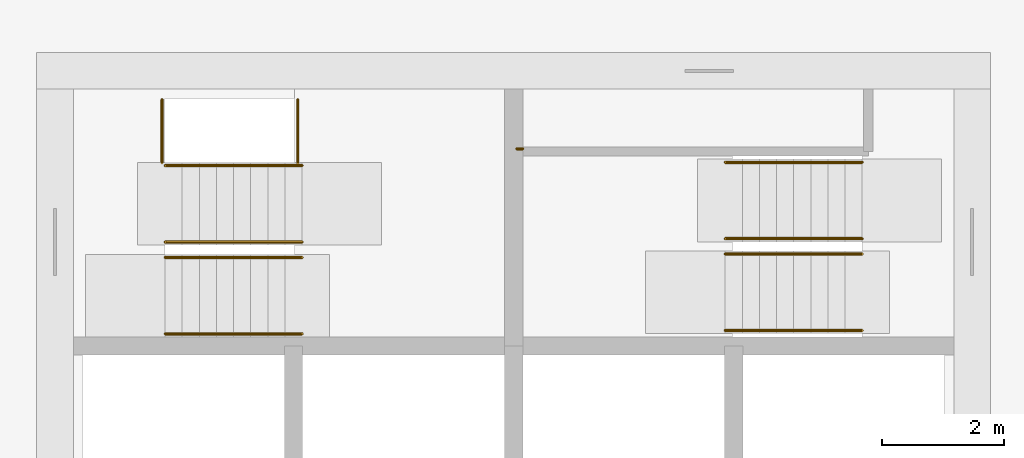
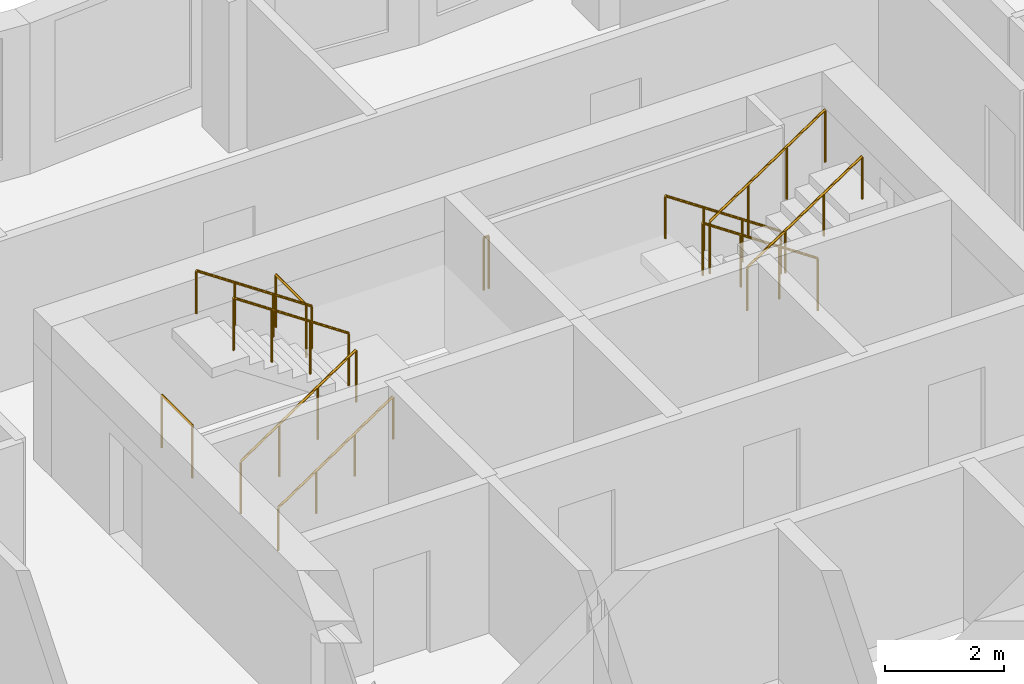
# One storey, part 11 of 12: 11 railings.
"""IFC4 building model written with IfcOpenShell, lengths in metres."""

import ifcopenshell
import ifcopenshell.guid

model = None  # the IFC model being written
_history = None  # IfcOwnerHistory: only IFC2X3 demands one
_inside = {}  # id of a spatial element -> (the spatial element, [elements in it])
_under = {}  # id of a project, library or spatial element -> (it, [spatial elements below it])
_declared = {}  # id of a project -> (the project, [libraries it declares])
_typed = {}  # id of a type object -> (the type object, [elements of that type])
_made_of = {}  # id of a material, layer set ... -> (it, [elements and type objects made of it])


def new_model(schema):
    """Start an empty IFC model of exactly this schema.

    Asked for "IFC4X3", IfcOpenShell would pick the latest addendum, in which some entities
    have other attributes; the version numbers below select the first issue.
    IFC2X3 requires an IfcOwnerHistory on every rooted entity: one is made here for all.
    """
    global model, _history
    if schema == "IFC4X3":
        model = ifcopenshell.file(schema_version=(4, 3, 0, 0))
    else:
        model = ifcopenshell.file(schema=schema)
    _inside.clear()
    _under.clear()
    _declared.clear()
    _typed.clear()
    _made_of.clear()
    _history = None
    if model.schema == "IFC2X3":
        org = make("IfcOrganization", Name="unknown")
        user = make(
            "IfcPersonAndOrganization",
            ThePerson=make("IfcPerson", FamilyName="unknown"),
            TheOrganization=org,
        )
        app = make(
            "IfcApplication",
            ApplicationDeveloper=org,
            Version="unknown",
            ApplicationFullName="unknown",
            ApplicationIdentifier="unknown",
        )
        _history = make(
            "IfcOwnerHistory",
            OwningUser=user,
            OwningApplication=app,
            ChangeAction="ADDED",
            CreationDate=0,
        )
    return model


def make(cls, **values):
    """One entity of the class cls with the attributes given. An attribute that is None is left unset."""
    return model.create_entity(
        cls, **{name: value for name, value in values.items() if value is not None}
    )


def rooted(cls, **values):
    """An entity with a GlobalId (a new one), such as an element, a storey or a relation."""
    return make(cls, GlobalId=ifcopenshell.guid.new(), OwnerHistory=_history, **values)


def si_unit(unit_type, name, prefix=None):
    """IfcSIUnit, for example si_unit("LENGTHUNIT", "METRE", prefix="MILLI")."""
    return make("IfcSIUnit", UnitType=unit_type, Prefix=prefix, Name=name)


def assignment(units):
    """IfcUnitAssignment: the units of a project."""
    return None if units is None else make("IfcUnitAssignment", Units=units)


def point(xyz):
    """IfcCartesianPoint."""
    return None if xyz is None else make("IfcCartesianPoint", Coordinates=xyz)


def direction(xyz):
    """IfcDirection."""
    return None if xyz is None else make("IfcDirection", DirectionRatios=xyz)


def frame(location, z_axis=None, x_axis=None):
    """IfcAxis2Placement3D, a coordinate frame: its origin and axes. An axis left out is left unset."""
    return make(
        "IfcAxis2Placement3D",
        Location=point(location),
        Axis=direction(z_axis),
        RefDirection=direction(x_axis),
    )


def frame_2d(location, x_axis=None):
    """IfcAxis2Placement2D, a coordinate frame in the plane: its origin and x axis."""
    return make(
        "IfcAxis2Placement2D", Location=point(location), RefDirection=direction(x_axis)
    )


def origin():
    """The frame at (0, 0, 0) with its axes left unset."""
    return frame((0.0, 0.0, 0.0))


def origin_2d():
    """The frame at (0, 0) in the plane with its x axis left unset."""
    return frame_2d((0.0, 0.0))


def place(relative_to, where):
    """IfcLocalPlacement: puts the frame where relative to a parent placement (None: the world)."""
    return make(
        "IfcLocalPlacement", PlacementRelTo=relative_to, RelativePlacement=where
    )


def context(
    kind, dimensions, precision=None, world=None, true_north=None, identifier=None
):
    """IfcGeometricRepresentationContext, for example the 3D "Model" context."""
    return make(
        "IfcGeometricRepresentationContext",
        ContextIdentifier=identifier,
        ContextType=kind,
        CoordinateSpaceDimension=dimensions,
        Precision=precision,
        WorldCoordinateSystem=world,
        TrueNorth=true_north,
    )


def subcontext(parent, identifier, kind, view, scale=None):
    """IfcGeometricRepresentationSubContext, for example "Body" below "Model"."""
    return make(
        "IfcGeometricRepresentationSubContext",
        ContextIdentifier=identifier,
        ContextType=kind,
        ParentContext=parent,
        TargetScale=scale,
        TargetView=view,
    )


def project(units=None, contexts=None):
    """IfcProject with its units and contexts."""
    return rooted(
        "IfcProject",
        Name="project",
        RepresentationContexts=contexts,
        UnitsInContext=assignment(units),
    )


def spatial(cls, under=None, at=None, **own):
    """A site, building, storey or space (cls), placed at a placement, below another one or the project."""
    s = rooted(cls, ObjectPlacement=at, **own)
    if under is not None:
        _under.setdefault(under.id(), (under, []))[1].append(s)
    return s


def profile(cls, at=None, kind="AREA", **sizes):
    """A parametric profile (cls). Its sizes go by their IFC names, for example OverallWidth=200.0."""
    return make(cls, ProfileType=kind, Position=at, **sizes)


def circle(**sizes):
    """IfcCircleProfileDef."""
    return profile("IfcCircleProfileDef", **sizes)


def extrude(swept, where, along, depth):
    """IfcExtrudedAreaSolid: the profile swept, set in the frame where, extruded along a direction by depth."""
    return make(
        "IfcExtrudedAreaSolid",
        SweptArea=swept,
        Position=where,
        ExtrudedDirection=direction(along),
        Depth=depth,
    )


def shape(context_of_items, identifier, shape_type, items):
    """IfcShapeRepresentation: the items that make up one representation, for example the "Body"."""
    return make(
        "IfcShapeRepresentation",
        ContextOfItems=context_of_items,
        RepresentationIdentifier=identifier,
        RepresentationType=shape_type,
        Items=items,
    )


def material(Name=None, Category=None):
    """IfcMaterial."""
    return make("IfcMaterial", Name=Name, Category=Category)


def made_of(thing, what):
    """Note that an element or type object is made of a material, layer set ...; save() writes the relation."""
    if what is not None:
        _made_of.setdefault(what.id(), (what, []))[1].append(thing)
    return thing


def type_object(cls, material=None, **own):
    """A type object (cls), such as IfcWallType, which elements share."""
    return made_of(rooted(cls, **own), material)


def element(
    cls,
    number,
    at=None,
    inside=None,
    cuts=None,
    type_object=None,
    material=None,
    context=None,
    identifier="Body",
    shape_type=None,
    held_by="IfcProductDefinitionShape",
    body=None,
    shapes=None,
    **own,
):
    """One element of the class cls, such as IfcWall. Its Tag is "e" and its number.

    at: its placement. inside: the storey or other place that contains it. cuts: it is an
    opening in that element (IfcRelVoidsElement). A single representation is given by context,
    identifier, shape_type and body (its items); several are given by shapes. held_by: the class
    of the entity that holds the representations. save() writes the other relations.
    """
    e = rooted(cls, Tag="e%d" % number, ObjectPlacement=at, **own)
    if body is not None:
        shapes = [shape(context, identifier, shape_type, body)]
    if shapes is not None:
        e.Representation = make(held_by, Representations=shapes)
    if inside is not None:
        _inside.setdefault(inside.id(), (inside, []))[1].append(e)
    if cuts is not None:
        rooted(
            "IfcRelVoidsElement", RelatingBuildingElement=cuts, RelatedOpeningElement=e
        )
    if type_object is not None:
        _typed.setdefault(type_object.id(), (type_object, []))[1].append(e)
    return made_of(e, material)


def aggregate(whole, parts):
    """IfcRelAggregates: a whole, such as a stair, and the parts it consists of."""
    return rooted("IfcRelAggregates", RelatingObject=whole, RelatedObjects=parts)


def save(model, path):
    """Write the relations noted so far, then the file.

    IfcRelAggregates (storeys below a building ...), IfcRelContainedInSpatialStructure (elements
    in a storey), IfcRelDefinesByType, IfcRelAssociatesMaterial and IfcRelDeclares: one each for
    every whole, place, type object, material and project.
    """
    for whole, parts in _under.values():
        aggregate(whole, parts)
    for where, things in _inside.values():
        rooted(
            "IfcRelContainedInSpatialStructure",
            RelatedElements=things,
            RelatingStructure=where,
        )
    for kind, things in _typed.values():
        rooted("IfcRelDefinesByType", RelatedObjects=things, RelatingType=kind)
    for what, things in _made_of.values():
        rooted("IfcRelAssociatesMaterial", RelatedObjects=things, RelatingMaterial=what)
    for by, libraries in _declared.values():
        rooted("IfcRelDeclares", RelatingContext=by, RelatedDefinitions=libraries)
    model.write(path)


model = new_model("IFC4")

# Units and contexts
model_context = context("Model", 3, precision=1e-05, world=origin(), true_north=direction((0.0, 1.0)))
body_context = subcontext(model_context, "Body", "Model", "MODEL_VIEW")
ifc_project = project(units=[si_unit("LENGTHUNIT", "METRE"), si_unit("AREAUNIT", "SQUARE_METRE"), si_unit("VOLUMEUNIT", "CUBIC_METRE"), si_unit("PLANEANGLEUNIT", "RADIAN"), si_unit("MASSUNIT", "GRAM", prefix="KILO")], contexts=[model_context])

# Site, building, storey
site_placement = place(None, origin())
site = spatial("IfcSite", under=ifc_project, at=site_placement, CompositionType="ELEMENT")
building_placement = place(site_placement, origin())
building = spatial("IfcBuilding", under=site, at=building_placement, Name="Windrow Commons", CompositionType="ELEMENT")
storey_placement = place(building_placement, frame((0.0, 0.0, 135.4)))
storey = spatial("IfcBuildingStorey", under=building, at=storey_placement, Name="L36", CompositionType="ELEMENT", Elevation=135.4)

# Railings
ifc_material_1 = material(Name="Steel S355", Category="steel")
railing_type_1 = type_object("IfcRailingType", Name="Core stair guard 1100", PredefinedType="GUARDRAIL", material=ifc_material_1)
railing_1_placement = place(storey_placement, frame((59.1, 62.05, 0.1889)))
element("IfcRailing", 1, at=railing_1_placement, inside=storey, type_object=railing_type_1, Name="L36 ST-A1 stair guard 1", PredefinedType="GUARDRAIL", context=body_context, shape_type="SweptSolid", body=[
    extrude(circle(Radius=0.024, at=origin_2d()), frame((0.0, 0.0, 1.076), z_axis=(0.8290030985, 0.0, 0.5592440099), x_axis=(0.0, 1.0, 0.0)), (0.0, 0.0, 1.0), 2.702),
    extrude(circle(Radius=0.021, at=origin_2d()), origin(), (0.0, 0.0, 1.0), 1.052),
    extrude(circle(Radius=0.021, at=origin_2d()), frame((0.7467, 0.0, 0.5037)), (0.0, 0.0, 1.0), 1.052),
    extrude(circle(Radius=0.021, at=origin_2d()), frame((1.4933, 0.0, 1.0074)), (0.0, 0.0, 1.0), 1.052),
    extrude(circle(Radius=0.021, at=origin_2d()), frame((2.24, 0.0, 1.5111)), (0.0, 0.0, 1.0), 1.052),
])
railing_2_placement = place(storey_placement, frame((61.34, 62.3, 1.8889)))
element("IfcRailing", 2, at=railing_2_placement, inside=storey, type_object=railing_type_1, Name="L36 ST-A1 stair guard 2", PredefinedType="GUARDRAIL", context=body_context, shape_type="SweptSolid", body=[
    extrude(circle(Radius=0.024, at=origin_2d()), frame((0.0, 0.0, 1.076), z_axis=(-0.8290030985, 0.0, 0.5592440099), x_axis=(0.0, -1.0, 0.0)), (0.0, 0.0, 1.0), 2.702),
    extrude(circle(Radius=0.021, at=origin_2d()), origin(), (0.0, 0.0, 1.0), 1.052),
    extrude(circle(Radius=0.021, at=origin_2d()), frame((-0.7467, 0.0, 0.5037)), (0.0, 0.0, 1.0), 1.052),
    extrude(circle(Radius=0.021, at=origin_2d()), frame((-1.4933, 0.0, 1.0074)), (0.0, 0.0, 1.0), 1.052),
    extrude(circle(Radius=0.021, at=origin_2d()), frame((-2.24, 0.0, 1.5111)), (0.0, 0.0, 1.0), 1.052),
])
for number, where, name in (
    (3, (59.05, 63.6, 0.0), "L36 ST-A1 stair guard 3"),
    (4, (61.27, 63.6, 1.7), "L36 ST-A1 stair guard 4"),
):
    element("IfcRailing", number, at=place(storey_placement, frame(where)), inside=storey, type_object=railing_type_1, Name=name, PredefinedType="GUARDRAIL", context=body_context, shape_type="SweptSolid", body=[
        extrude(circle(Radius=0.024, at=origin_2d()), frame((0.0, 0.0, 1.076), z_axis=(0.0, 1.0, 0.0), x_axis=(-1.0, 0.0, 0.0)), (0.0, 0.0, 1.0), 1.03),
        extrude(circle(Radius=0.021, at=origin_2d()), origin(), (0.0, 0.0, 1.0), 1.052),
        extrude(circle(Radius=0.021, at=origin_2d()), frame((0.0, 1.03, 0.0)), (0.0, 0.0, 1.0), 1.052),
    ])
railing_3_placement = place(storey_placement, frame((70.5, 62.355, 0.1889)))
element("IfcRailing", 5, at=railing_3_placement, inside=storey, type_object=railing_type_1, Name="L36 ST-A2 stair guard 1", PredefinedType="GUARDRAIL", context=body_context, shape_type="SweptSolid", body=[
    extrude(circle(Radius=0.024, at=origin_2d()), frame((0.0, 0.0, 1.076), z_axis=(-0.8290030985, 0.0, 0.5592440099), x_axis=(0.0, -1.0, 0.0)), (0.0, 0.0, 1.0), 2.702),
    extrude(circle(Radius=0.021, at=origin_2d()), origin(), (0.0, 0.0, 1.0), 1.052),
    extrude(circle(Radius=0.021, at=origin_2d()), frame((-0.7467, 0.0, 0.5037)), (0.0, 0.0, 1.0), 1.052),
    extrude(circle(Radius=0.021, at=origin_2d()), frame((-1.4933, 0.0, 1.0074)), (0.0, 0.0, 1.0), 1.052),
    extrude(circle(Radius=0.021, at=origin_2d()), frame((-2.24, 0.0, 1.5111)), (0.0, 0.0, 1.0), 1.052),
])
railing_4_placement = place(storey_placement, frame((68.26, 62.105, 1.8889)))
element("IfcRailing", 6, at=railing_4_placement, inside=storey, type_object=railing_type_1, Name="L36 ST-A2 stair guard 2", PredefinedType="GUARDRAIL", context=body_context, shape_type="SweptSolid", body=[
    extrude(circle(Radius=0.024, at=origin_2d()), frame((0.0, 0.0, 1.076), z_axis=(0.8290030985, 0.0, 0.5592440099), x_axis=(0.0, 1.0, 0.0)), (0.0, 0.0, 1.0), 2.702),
    extrude(circle(Radius=0.021, at=origin_2d()), origin(), (0.0, 0.0, 1.0), 1.052),
    extrude(circle(Radius=0.021, at=origin_2d()), frame((0.7467, 0.0, 0.5037)), (0.0, 0.0, 1.0), 1.052),
    extrude(circle(Radius=0.021, at=origin_2d()), frame((1.4933, 0.0, 1.0074)), (0.0, 0.0, 1.0), 1.052),
    extrude(circle(Radius=0.021, at=origin_2d()), frame((2.24, 0.0, 1.5111)), (0.0, 0.0, 1.0), 1.052),
])
railing_5_placement = place(storey_placement, frame((64.95, 63.825, 1.7)))
element("IfcRailing", 7, at=railing_5_placement, inside=storey, type_object=railing_type_1, Name="L36 ST-A2 stair guard 3", PredefinedType="GUARDRAIL", context=body_context, shape_type="SweptSolid", body=[
    extrude(circle(Radius=0.024, at=origin_2d()), frame((0.0, 0.0, 1.076), z_axis=(-1.0, 0.0, 0.0), x_axis=(0.0, -1.0, 0.0)), (0.0, 0.0, 1.0), 0.1),
    extrude(circle(Radius=0.021, at=origin_2d()), origin(), (0.0, 0.0, 1.0), 1.052),
    extrude(circle(Radius=0.021, at=origin_2d()), frame((-0.1, 0.0, 0.0)), (0.0, 0.0, 1.0), 1.052),
])
ifc_material_2 = material(Name="Steel S355", Category="steel")
railing_type_2 = type_object("IfcRailingType", Name="Core stair handrail 900", PredefinedType="HANDRAIL", material=ifc_material_2)
railing_6_placement = place(storey_placement, frame((59.1, 60.8, 0.1889)))
element("IfcRailing", 8, at=railing_6_placement, inside=storey, type_object=railing_type_2, Name="L36 ST-A1 stair handrail 1", PredefinedType="HANDRAIL", context=body_context, shape_type="SweptSolid", body=[
    extrude(circle(Radius=0.024, at=origin_2d()), frame((0.0, 0.0, 0.876), z_axis=(0.8290030985, 0.0, 0.5592440099), x_axis=(0.0, 1.0, 0.0)), (0.0, 0.0, 1.0), 2.702),
    extrude(circle(Radius=0.021, at=origin_2d()), origin(), (0.0, 0.0, 1.0), 0.852),
    extrude(circle(Radius=0.021, at=origin_2d()), frame((0.7467, 0.0, 0.5037)), (0.0, 0.0, 1.0), 0.852),
    extrude(circle(Radius=0.021, at=origin_2d()), frame((1.4933, 0.0, 1.0074)), (0.0, 0.0, 1.0), 0.852),
    extrude(circle(Radius=0.021, at=origin_2d()), frame((2.24, 0.0, 1.5111)), (0.0, 0.0, 1.0), 0.852),
])
for number, where, name in (
    (9, (61.34, 63.55, 1.8889), "L36 ST-A1 stair handrail 2"),
    (10, (70.5, 63.605, 0.1889), "L36 ST-A2 stair handrail 1"),
):
    element("IfcRailing", number, at=place(storey_placement, frame(where)), inside=storey, type_object=railing_type_2, Name=name, PredefinedType="HANDRAIL", context=body_context, shape_type="SweptSolid", body=[
        extrude(circle(Radius=0.024, at=origin_2d()), frame((0.0, 0.0, 0.876), z_axis=(-0.8290030985, 0.0, 0.5592440099), x_axis=(0.0, -1.0, 0.0)), (0.0, 0.0, 1.0), 2.702),
        extrude(circle(Radius=0.021, at=origin_2d()), origin(), (0.0, 0.0, 1.0), 0.852),
        extrude(circle(Radius=0.021, at=origin_2d()), frame((-0.7467, 0.0, 0.5037)), (0.0, 0.0, 1.0), 0.852),
        extrude(circle(Radius=0.021, at=origin_2d()), frame((-1.4933, 0.0, 1.0074)), (0.0, 0.0, 1.0), 0.852),
        extrude(circle(Radius=0.021, at=origin_2d()), frame((-2.24, 0.0, 1.5111)), (0.0, 0.0, 1.0), 0.852),
    ])
railing_7_placement = place(storey_placement, frame((68.26, 60.855, 1.8889)))
element("IfcRailing", 11, at=railing_7_placement, inside=storey, type_object=railing_type_2, Name="L36 ST-A2 stair handrail 2", PredefinedType="HANDRAIL", context=body_context, shape_type="SweptSolid", body=[
    extrude(circle(Radius=0.024, at=origin_2d()), frame((0.0, 0.0, 0.876), z_axis=(0.8290030985, 0.0, 0.5592440099), x_axis=(0.0, 1.0, 0.0)), (0.0, 0.0, 1.0), 2.702),
    extrude(circle(Radius=0.021, at=origin_2d()), origin(), (0.0, 0.0, 1.0), 0.852),
    extrude(circle(Radius=0.021, at=origin_2d()), frame((0.7467, 0.0, 0.5037)), (0.0, 0.0, 1.0), 0.852),
    extrude(circle(Radius=0.021, at=origin_2d()), frame((1.4933, 0.0, 1.0074)), (0.0, 0.0, 1.0), 0.852),
    extrude(circle(Radius=0.021, at=origin_2d()), frame((2.24, 0.0, 1.5111)), (0.0, 0.0, 1.0), 0.852),
])

save(model, "model.ifc")
